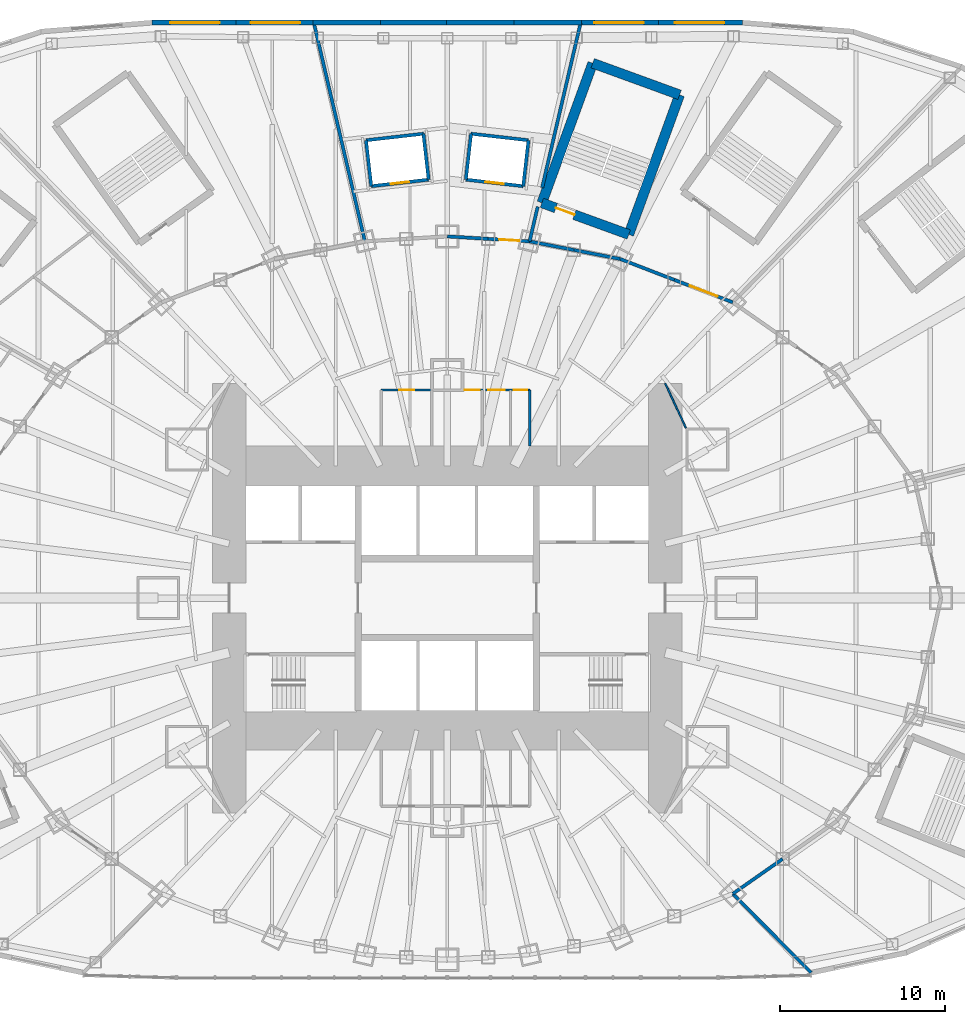
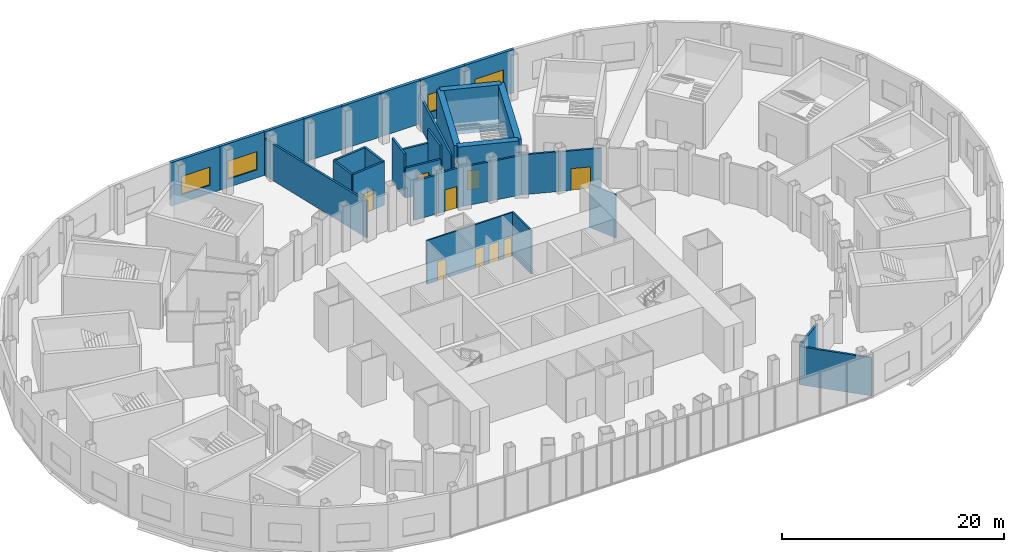
# One storey, part 16 of 73: 34 walls, 9 doors, 4 windows, 13 openings.
"""IFC4 building model written with IfcOpenShell, lengths in metres."""

from ifc_helpers import new_model, si_unit, direction, frame, frame_2d, origin, place, context, subcontext, project, spatial, rectangle, extrude, material, layer, layer_set, type_object, element, fill, save


model = new_model("IFC4")

# Units and contexts
model_context = context("Model", 3, precision=1e-05, world=origin(), true_north=direction((0.0, 1.0)))
body_context = subcontext(model_context, "Body", "Model", "MODEL_VIEW")
ifc_project = project(units=[si_unit("LENGTHUNIT", "METRE"), si_unit("AREAUNIT", "SQUARE_METRE"), si_unit("VOLUMEUNIT", "CUBIC_METRE"), si_unit("PLANEANGLEUNIT", "RADIAN"), si_unit("MASSUNIT", "GRAM", prefix="KILO")], contexts=[model_context])

# Site, building, storey
site_placement = place(None, origin())
site = spatial("IfcSite", under=ifc_project, at=site_placement, CompositionType="ELEMENT")
building_placement = place(site_placement, origin())
building = spatial("IfcBuilding", under=site, at=building_placement, Name="Lantaw Convention Tower", CompositionType="ELEMENT")
storey_placement = place(building_placement, frame((0.0, 0.0, 22.0)))
storey = spatial("IfcBuildingStorey", under=building, at=storey_placement, Name="L03", CompositionType="ELEMENT", Elevation=22.0)

# Walls
ifc_material_1 = material(Name="Concrete blockwork, fire rated", Category="masonry")
ifc_layer_1 = layer(ifc_material_1, 0.199951171875)
ifc_layer_set_1 = layer_set([ifc_layer_1], Name="Lift shaft wall 200 EI 120")
wall_type_1 = type_object("IfcWallType", Name="Lift shaft wall 200 EI 120", PredefinedType="SOLIDWALL", material=ifc_layer_set_1)
wall_1_placement = place(storey_placement, frame((4.602783203125, 24.939208984375, 0.0), z_axis=(0.0, 0.0, 1.0), x_axis=(0.113177712989, 0.993574760792, 0.0)))
element("IfcWall", 1, at=wall_1_placement, inside=storey, type_object=wall_type_1, Name="Lift shaft wall", PredefinedType="SOLIDWALL", context=body_context, shape_type="SweptSolid", body=[
    extrude(rectangle(XDim=2.800048828125, YDim=0.199951171875, at=frame_2d((1.39990234375, 0.0))), origin(), (0.0, 0.0, 1.0), 4.800048828125),
])
wall_2_placement = place(storey_placement, frame((4.919677734375, 27.72119140625, 0.0), z_axis=(0.0, 0.0, 1.0), x_axis=(-0.993571061716, 0.113210182053, 0.0)))
element("IfcWall", 2, at=wall_2_placement, inside=storey, type_object=wall_type_1, Name="Lift shaft wall", PredefinedType="SOLIDWALL", context=body_context, shape_type="SweptSolid", body=[
    extrude(rectangle(XDim=3.5, YDim=0.199951171875, at=frame_2d((1.75, 0.0))), origin(), (0.0, 0.0, 1.0), 3.300048828125),
])
wall_3_placement = place(storey_placement, frame((1.442138671875, 28.117431640625, 0.0), z_axis=(0.0, 0.0, 1.0), x_axis=(-0.113177712989, -0.993574760792, 0.0)))
element("IfcWall", 3, at=wall_3_placement, inside=storey, type_object=wall_type_1, Name="Lift shaft wall", PredefinedType="SOLIDWALL", context=body_context, shape_type="SweptSolid", body=[
    extrude(rectangle(XDim=2.800048828125, YDim=0.199951171875, at=frame_2d((1.39990234375, 0.0))), origin(), (0.0, 0.0, 1.0), 4.800048828125),
])

# Wall, opening, door
wall_4_placement = place(storey_placement, frame((1.125244140625, 25.33544921875, 0.0), z_axis=(0.0, 0.0, 1.0), x_axis=(0.993571061716, -0.113210182053, 0.0)))
wall_4 = element("IfcWall", 4, at=wall_4_placement, inside=storey, type_object=wall_type_1, Name="Lift shaft wall", PredefinedType="SOLIDWALL", context=body_context, shape_type="SweptSolid", body=[
    extrude(rectangle(XDim=3.5, YDim=0.199951171875, at=frame_2d((1.75, 0.0))), origin(), (0.0, 0.0, 1.0), 3.300048828125),
])
opening_1_placement = place(wall_4_placement, frame((1.199951171875, 0.0, 0.0)))
opening_1 = element("IfcOpeningElement", 5, at=opening_1_placement, cuts=wall_4, Name="Opening LDPL1", PredefinedType="OPENING", context=body_context, shape_type="SweptSolid", body=[
    extrude(rectangle(XDim=1.10009765625, YDim=2.199951171875, at=frame_2d((0.550048828125, 1.10009765625))), frame((0.0, 0.10986328125, 0.0), z_axis=(0.0, -1.0, 0.0), x_axis=(1.0, 0.0, 0.0)), (0.0, 0.0, 1.0), 0.219970703125),
])
ifc_material_2 = material(Name="Stainless steel", Category="steel")
door_type_1 = type_object("IfcDoorType", Name="Lift landing door 1100", OperationType="DOUBLE_DOOR_SLIDING", PredefinedType="DOOR", material=ifc_material_2)
door_1_placement = place(opening_1_placement, origin())
door_1 = element("IfcDoor", 6, at=door_1_placement, inside=storey, type_object=door_type_1, Name="Lift landing door PL1", OperationType="DOUBLE_DOOR_SLIDING", OverallHeight=2.199951171875, OverallWidth=1.10009765625, PredefinedType="DOOR", context=body_context, shape_type="SweptSolid", body=[
    extrude(rectangle(XDim=1.10009765625, YDim=2.199951171875, at=frame_2d((0.550048828125, 1.10009765625))), frame((0.0, 0.02490234375, 0.0), z_axis=(0.0, -1.0, 0.0), x_axis=(1.0, 0.0, 0.0)), (0.0, 0.0, 1.0), 0.050048828125),
])
fill(opening_1, door_1)

# Walls
wall_5_placement = place(storey_placement, frame((-1.125244140625, 25.33544921875, 0.0), z_axis=(0.0, 0.0, 1.0), x_axis=(-0.113177712989, 0.993574760792, 0.0)))
element("IfcWall", 7, at=wall_5_placement, inside=storey, type_object=wall_type_1, Name="Lift shaft wall", PredefinedType="SOLIDWALL", context=body_context, shape_type="SweptSolid", body=[
    extrude(rectangle(XDim=2.800048828125, YDim=0.199951171875, at=frame_2d((1.39990234375, 0.0))), origin(), (0.0, 0.0, 1.0), 4.800048828125),
])
wall_6_placement = place(storey_placement, frame((-1.442138671875, 28.117431640625, 0.0), z_axis=(0.0, 0.0, 1.0), x_axis=(-0.993571061716, -0.113210182053, 0.0)))
element("IfcWall", 8, at=wall_6_placement, inside=storey, type_object=wall_type_1, Name="Lift shaft wall", PredefinedType="SOLIDWALL", context=body_context, shape_type="SweptSolid", body=[
    extrude(rectangle(XDim=3.5, YDim=0.199951171875, at=frame_2d((1.75, 0.0))), origin(), (0.0, 0.0, 1.0), 4.800048828125),
])
wall_7_placement = place(storey_placement, frame((-4.919677734375, 27.72119140625, 0.0), z_axis=(0.0, 0.0, 1.0), x_axis=(0.113177712989, -0.993574760792, 0.0)))
element("IfcWall", 9, at=wall_7_placement, inside=storey, type_object=wall_type_1, Name="Lift shaft wall", PredefinedType="SOLIDWALL", context=body_context, shape_type="SweptSolid", body=[
    extrude(rectangle(XDim=2.800048828125, YDim=0.199951171875, at=frame_2d((1.39990234375, 0.0))), origin(), (0.0, 0.0, 1.0), 4.800048828125),
])

# Wall, opening, door
wall_8_placement = place(storey_placement, frame((-4.602783203125, 24.939208984375, 0.0), z_axis=(0.0, 0.0, 1.0), x_axis=(0.993571061716, 0.113210182053, 0.0)))
wall_8 = element("IfcWall", 10, at=wall_8_placement, inside=storey, type_object=wall_type_1, Name="Lift shaft wall", PredefinedType="SOLIDWALL", context=body_context, shape_type="SweptSolid", body=[
    extrude(rectangle(XDim=3.5, YDim=0.199951171875, at=frame_2d((1.75, 0.0))), origin(), (0.0, 0.0, 1.0), 4.800048828125),
])
opening_2_placement = place(wall_8_placement, frame((1.199951171875, 0.0, 0.0)))
opening_2 = element("IfcOpeningElement", 11, at=opening_2_placement, cuts=wall_8, Name="Opening LDPL2", PredefinedType="OPENING", context=body_context, shape_type="SweptSolid", body=[
    extrude(rectangle(XDim=1.10009765625, YDim=2.199951171875, at=frame_2d((0.550048828125, 1.10009765625))), frame((0.0, 0.10986328125, 0.0), z_axis=(0.0, -1.0, 0.0), x_axis=(1.0, 0.0, 0.0)), (0.0, 0.0, 1.0), 0.219970703125),
])
door_2_placement = place(opening_2_placement, origin())
door_2 = element("IfcDoor", 12, at=door_2_placement, inside=storey, type_object=door_type_1, Name="Lift landing door PL2", OperationType="DOUBLE_DOOR_SLIDING", OverallHeight=2.199951171875, OverallWidth=1.10009765625, PredefinedType="DOOR", context=body_context, shape_type="SweptSolid", body=[
    extrude(rectangle(XDim=1.10009765625, YDim=2.199951171875, at=frame_2d((0.550048828125, 1.10009765625))), frame((0.0, 0.02490234375, 0.0), z_axis=(0.0, -1.0, 0.0), x_axis=(1.0, 0.0, 0.0)), (0.0, 0.0, 1.0), 0.050048828125),
])
fill(opening_2, door_2)

# Wall
ifc_material_3 = material(Name="Gypsum board on steel studs, acoustic", Category="steel")
ifc_layer_2 = layer(ifc_material_3, 0.10009765625)
ifc_layer_set_2 = layer_set([ifc_layer_2], Name="Office partition 100")
wall_type_2 = type_object("IfcWallType", Name="Office partition 100", PredefinedType="PARTITIONING", material=ifc_layer_set_2)
wall_9_placement = place(storey_placement, frame((13.199951171875, 13.0, 0.0), z_axis=(0.0, 0.0, 1.0), x_axis=(0.420129824888, -0.907464010437, 0.0)))
element("IfcWall", 13, at=wall_9_placement, inside=storey, type_object=wall_type_2, Name="Office partition 100", PredefinedType="PARTITIONING", context=body_context, shape_type="SweptSolid", body=[
    extrude(rectangle(XDim=2.975341796875, YDim=0.10009765625, at=frame_2d((1.48779296875, 0.0))), origin(), (0.0, 0.0, 1.0), 4.800048828125),
])

# Wall, opening, window
ifc_material_4 = material(Name="Precast concrete panel, pale aluminium rainscreen", Category="concrete")
ifc_layer_3 = layer(ifc_material_4, 0.300048828125)
ifc_layer_set_3 = layer_set([ifc_layer_3], Name="Podium external wall 300")
wall_type_3 = type_object("IfcWallType", Name="Podium external wall 300", PredefinedType="SOLIDWALL", material=ifc_layer_set_3)
wall_10_placement = place(storey_placement, frame((17.873291015625, 34.85009765625, 0.0), z_axis=(0.0, 0.0, 1.0), x_axis=(-1.0, 0.0, 0.0)))
wall_10 = element("IfcWall", 14, at=wall_10_placement, inside=storey, type_object=wall_type_3, Name="Podium facade wall", PredefinedType="SOLIDWALL", context=body_context, shape_type="SweptSolid", body=[
    extrude(rectangle(XDim=5.17431640625, YDim=0.300048828125, at=frame_2d((2.587158203125, 0.0))), origin(), (0.0, 0.0, 1.0), 4.800048828125),
])
opening_3_placement = place(wall_10_placement, frame((1.087158203125, 0.0, 0.89990234375)))
opening_3 = element("IfcOpeningElement", 15, at=opening_3_placement, cuts=wall_10, Name="Opening W3", PredefinedType="OPENING", context=body_context, shape_type="SweptSolid", body=[
    extrude(rectangle(XDim=3.0, YDim=2.0, at=frame_2d((1.5, 1.0))), frame((0.0, 0.159912109375, 0.0), z_axis=(0.0, -1.0, 0.0), x_axis=(1.0, 0.0, 0.0)), (0.0, 0.0, 1.0), 0.320068359375),
])
ifc_material_5 = material(Name="Aluminium frame, clear insulating glass", Category="aluminium")
window_type = type_object("IfcWindowType", Name="Podium window 3000x2000", PartitioningType="DOUBLE_PANEL_VERTICAL", PredefinedType="WINDOW", material=ifc_material_5)
window_1_placement = place(opening_3_placement, origin())
window_1 = element("IfcWindow", 16, at=window_1_placement, inside=storey, type_object=window_type, Name="Podium window", OverallHeight=2.0, OverallWidth=3.0, PartitioningType="SINGLE_PANEL", PredefinedType="WINDOW", context=body_context, shape_type="SweptSolid", body=[
    extrude(rectangle(XDim=3.0, YDim=2.0, at=frame_2d((1.5, 1.0))), frame((0.0, 0.030029296875, 0.0), z_axis=(0.0, -1.0, 0.0), x_axis=(1.0, 0.0, 0.0)), (0.0, 0.0, 1.0), 0.06005859375),
])
fill(opening_3, window_1)

wall_11_placement = place(storey_placement, frame((12.779052734375, 34.85009765625, 0.0), z_axis=(0.0, 0.0, 1.0), x_axis=(-1.0, 0.0, 0.0)))
wall_11 = element("IfcWall", 17, at=wall_11_placement, inside=storey, type_object=wall_type_3, Name="Podium facade wall", PredefinedType="SOLIDWALL", context=body_context, shape_type="SweptSolid", body=[
    extrude(rectangle(XDim=4.73876953125, YDim=0.300048828125, at=frame_2d((2.369384765625, 0.0))), origin(), (0.0, 0.0, 1.0), 4.800048828125),
])
opening_4_placement = place(wall_11_placement, frame((0.869384765625, 0.0, 0.89990234375)))
opening_4 = element("IfcOpeningElement", 18, at=opening_4_placement, cuts=wall_11, Name="Opening W3", PredefinedType="OPENING", context=body_context, shape_type="SweptSolid", body=[
    extrude(rectangle(XDim=3.0, YDim=2.0, at=frame_2d((1.5, 1.0))), frame((0.0, 0.159912109375, 0.0), z_axis=(0.0, -1.0, 0.0), x_axis=(1.0, 0.0, 0.0)), (0.0, 0.0, 1.0), 0.320068359375),
])
window_2_placement = place(opening_4_placement, origin())
window_2 = element("IfcWindow", 19, at=window_2_placement, inside=storey, type_object=window_type, Name="Podium window", OverallHeight=2.0, OverallWidth=3.0, PartitioningType="SINGLE_PANEL", PredefinedType="WINDOW", context=body_context, shape_type="SweptSolid", body=[
    extrude(rectangle(XDim=3.0, YDim=2.0, at=frame_2d((1.5, 1.0))), frame((0.0, 0.030029296875, 0.0), z_axis=(0.0, -1.0, 0.0), x_axis=(1.0, 0.0, 0.0)), (0.0, 0.0, 1.0), 0.06005859375),
])
fill(opening_4, window_2)

# Walls
wall_12_placement = place(storey_placement, frame((8.120361328125, 34.85009765625, 0.0), z_axis=(0.0, 0.0, 1.0), x_axis=(-1.0, 0.0, 0.0)))
element("IfcWall", 20, at=wall_12_placement, inside=storey, type_object=wall_type_3, Name="Podium facade wall", PredefinedType="SOLIDWALL", context=body_context, shape_type="SweptSolid", body=[
    extrude(rectangle(XDim=4.172607421875, YDim=0.300048828125, at=frame_2d((2.08642578125, 0.0))), origin(), (0.0, 0.0, 1.0), 4.800048828125),
])
for number, where, z_axis, x_axis, name in (
    (21, (4.02783203125, 34.85009765625, 0.0), (0.0, 0.0, 1.0), (-1.0, 0.0, 0.0), "Podium facade wall"),
    (22, (0.0400390625, 34.85009765625, 0.0), (0.0, 0.0, 1.0), (-1.0, 0.0, 0.0), "Podium facade wall"),
):
    element("IfcWall", number, at=place(storey_placement, frame(where, z_axis=z_axis, x_axis=x_axis)), inside=storey, type_object=wall_type_3, Name=name, PredefinedType="SOLIDWALL", context=body_context, shape_type="SweptSolid", body=[
        extrude(rectangle(XDim=4.06787109375, YDim=0.300048828125, at=frame_2d((2.033935546875, 0.0))), origin(), (0.0, 0.0, 1.0), 4.800048828125),
    ])
wall_13_placement = place(storey_placement, frame((-3.94775390625, 34.85009765625, 0.0), z_axis=(0.0, 0.0, 1.0), x_axis=(-1.0, 0.0, 0.0)))
element("IfcWall", 23, at=wall_13_placement, inside=storey, type_object=wall_type_3, Name="Podium facade wall", PredefinedType="SOLIDWALL", context=body_context, shape_type="SweptSolid", body=[
    extrude(rectangle(XDim=4.172607421875, YDim=0.300048828125, at=frame_2d((2.08642578125, 0.0))), origin(), (0.0, 0.0, 1.0), 4.800048828125),
])

# Wall, opening, window
wall_14_placement = place(storey_placement, frame((-8.040283203125, 34.85009765625, 0.0), z_axis=(0.0, 0.0, 1.0), x_axis=(-1.0, 0.0, 0.0)))
wall_14 = element("IfcWall", 24, at=wall_14_placement, inside=storey, type_object=wall_type_3, Name="Podium facade wall", PredefinedType="SOLIDWALL", context=body_context, shape_type="SweptSolid", body=[
    extrude(rectangle(XDim=4.73876953125, YDim=0.300048828125, at=frame_2d((2.369384765625, 0.0))), origin(), (0.0, 0.0, 1.0), 4.800048828125),
])
opening_5_placement = place(wall_14_placement, frame((0.869384765625, 0.0, 0.89990234375)))
opening_5 = element("IfcOpeningElement", 25, at=opening_5_placement, cuts=wall_14, Name="Opening W3", PredefinedType="OPENING", context=body_context, shape_type="SweptSolid", body=[
    extrude(rectangle(XDim=3.0, YDim=2.0, at=frame_2d((1.5, 1.0))), frame((0.0, 0.159912109375, 0.0), z_axis=(0.0, -1.0, 0.0), x_axis=(1.0, 0.0, 0.0)), (0.0, 0.0, 1.0), 0.320068359375),
])
window_3_placement = place(opening_5_placement, origin())
window_3 = element("IfcWindow", 26, at=window_3_placement, inside=storey, type_object=window_type, Name="Podium window", OverallHeight=2.0, OverallWidth=3.0, PartitioningType="SINGLE_PANEL", PredefinedType="WINDOW", context=body_context, shape_type="SweptSolid", body=[
    extrude(rectangle(XDim=3.0, YDim=2.0, at=frame_2d((1.5, 1.0))), frame((0.0, 0.030029296875, 0.0), z_axis=(0.0, -1.0, 0.0), x_axis=(1.0, 0.0, 0.0)), (0.0, 0.0, 1.0), 0.06005859375),
])
fill(opening_5, window_3)

wall_15_placement = place(storey_placement, frame((-12.698974609375, 34.85009765625, 0.0), z_axis=(0.0, 0.0, 1.0), x_axis=(-1.0, 0.0, 0.0)))
wall_15 = element("IfcWall", 27, at=wall_15_placement, inside=storey, type_object=wall_type_3, Name="Podium facade wall", PredefinedType="SOLIDWALL", context=body_context, shape_type="SweptSolid", body=[
    extrude(rectangle(XDim=5.17431640625, YDim=0.300048828125, at=frame_2d((2.587158203125, 0.0))), origin(), (0.0, 0.0, 1.0), 4.800048828125),
])
opening_6_placement = place(wall_15_placement, frame((1.087158203125, 0.0, 0.89990234375)))
opening_6 = element("IfcOpeningElement", 28, at=opening_6_placement, cuts=wall_15, Name="Opening W3", PredefinedType="OPENING", context=body_context, shape_type="SweptSolid", body=[
    extrude(rectangle(XDim=3.0, YDim=2.0, at=frame_2d((1.5, 1.0))), frame((0.0, 0.159912109375, 0.0), z_axis=(0.0, -1.0, 0.0), x_axis=(1.0, 0.0, 0.0)), (0.0, 0.0, 1.0), 0.320068359375),
])
window_4_placement = place(opening_6_placement, origin())
window_4 = element("IfcWindow", 29, at=window_4_placement, inside=storey, type_object=window_type, Name="Podium window", OverallHeight=2.0, OverallWidth=3.0, PartitioningType="SINGLE_PANEL", PredefinedType="WINDOW", context=body_context, shape_type="SweptSolid", body=[
    extrude(rectangle(XDim=3.0, YDim=2.0, at=frame_2d((1.5, 1.0))), frame((0.0, 0.030029296875, 0.0), z_axis=(0.0, -1.0, 0.0), x_axis=(1.0, 0.0, 0.0)), (0.0, 0.0, 1.0), 0.06005859375),
])
fill(opening_6, window_4)

# Wall, opening, door
ifc_layer_4 = layer(ifc_material_1, 0.199951171875)
ifc_layer_set_4 = layer_set([ifc_layer_4], Name="Podium lobby wall 200 EI 120")
wall_type_4 = type_object("IfcWallType", Name="Podium lobby wall 200 EI 120", PredefinedType="SOLIDWALL", material=ifc_layer_set_4)
wall_16_placement = place(storey_placement, frame((4.986328125, 21.59814453125, 0.0), z_axis=(0.0, 0.0, 1.0), x_axis=(-0.998172405641, 0.060430527186, 0.0)))
wall_16 = element("IfcWall", 30, at=wall_16_placement, inside=storey, type_object=wall_type_4, Name="Podium lobby wall 200", PredefinedType="SOLIDWALL", context=body_context, shape_type="SweptSolid", body=[
    extrude(rectangle(XDim=2.512939453125, YDim=0.199951171875, at=frame_2d((1.25634765625, 0.0))), origin(), (0.0, 0.0, 1.0), 4.396240234375),
])
opening_7_placement = place(wall_16_placement, frame((0.639892578125, 0.0, 0.0)))
opening_7 = element("IfcOpeningElement", 31, at=opening_7_placement, cuts=wall_16, Name="Opening L03.15", PredefinedType="OPENING", context=body_context, shape_type="SweptSolid", body=[
    extrude(rectangle(XDim=1.199951171875, YDim=2.39990234375, at=frame_2d((0.60009765625, 1.199951171875))), frame((0.0, 0.10986328125, 0.0), z_axis=(0.0, -1.0, 0.0), x_axis=(1.0, 0.0, 0.0)), (0.0, 0.0, 1.0), 0.219970703125),
])
ifc_material_6 = material(Name="Steel, fire rated", Category="steel")
door_type_2 = type_object("IfcDoorType", Name="Lobby door 1200 FD90", OperationType="SINGLE_SWING_RIGHT", PredefinedType="DOOR", material=ifc_material_6)
door_3_placement = place(opening_7_placement, origin())
door_3 = element("IfcDoor", 32, at=door_3_placement, inside=storey, type_object=door_type_2, Name="Podium lift lobby door", OperationType="SINGLE_SWING_RIGHT", OverallHeight=2.39990234375, OverallWidth=1.199951171875, PredefinedType="DOOR", context=body_context, shape_type="SweptSolid", body=[
    extrude(rectangle(XDim=1.199951171875, YDim=2.39990234375, at=frame_2d((0.60009765625, 1.199951171875))), frame((0.0, 0.02490234375, 0.0), z_axis=(0.0, -1.0, 0.0), x_axis=(1.0, 0.0, 0.0)), (0.0, 0.0, 1.0), 0.050048828125),
])
fill(opening_7, door_3)

ifc_material_7 = material(Name="Concrete blockwork", Category="masonry")
ifc_layer_5 = layer(ifc_material_7, 0.199951171875)
ifc_layer_set_5 = layer_set([ifc_layer_5], Name="Podium partition 200")
wall_type_5 = type_object("IfcWallType", Name="Podium partition 200", PredefinedType="SOLIDWALL", material=ifc_layer_set_5)
wall_17_placement = place(storey_placement, frame((17.290771484375, 17.9052734375, 0.0), z_axis=(0.0, 0.0, 1.0), x_axis=(-0.933224646415, 0.359293416754, 0.0)))
wall_17 = element("IfcWall", 33, at=wall_17_placement, inside=storey, type_object=wall_type_5, Name="Podium partition 200", PredefinedType="SOLIDWALL", context=body_context, shape_type="SweptSolid", body=[
    extrude(rectangle(XDim=3.799072265625, YDim=0.199951171875, at=frame_2d((1.8994140625, 0.0))), origin(), (0.0, 0.0, 1.0), 4.35546875),
])
opening_8_placement = place(wall_17_placement, frame((0.99951171875, 0.0, 0.0)))
opening_8 = element("IfcOpeningElement", 34, at=opening_8_placement, cuts=wall_17, Name="Opening L03.14", PredefinedType="OPENING", context=body_context, shape_type="SweptSolid", body=[
    extrude(rectangle(XDim=1.800048828125, YDim=2.39990234375, at=frame_2d((0.89990234375, 1.199951171875))), frame((0.0, 0.10986328125, 0.0), z_axis=(0.0, -1.0, 0.0), x_axis=(1.0, 0.0, 0.0)), (0.0, 0.0, 1.0), 0.219970703125),
])
ifc_material_8 = material(Name="Timber", Category="wood")
door_type_3 = type_object("IfcDoorType", Name="Hall double door 1800", OperationType="DOUBLE_DOOR_DOUBLE_SWING", PredefinedType="DOOR", material=ifc_material_8)
door_4_placement = place(opening_8_placement, origin())
door_4 = element("IfcDoor", 35, at=door_4_placement, inside=storey, type_object=door_type_3, Name="Meeting room door", OperationType="DOUBLE_DOOR_DOUBLE_SWING", OverallHeight=2.39990234375, OverallWidth=1.800048828125, PredefinedType="DOOR", context=body_context, shape_type="SweptSolid", body=[
    extrude(rectangle(XDim=1.800048828125, YDim=2.39990234375, at=frame_2d((0.89990234375, 1.199951171875))), frame((0.0, 0.02490234375, 0.0), z_axis=(0.0, -1.0, 0.0), x_axis=(1.0, 0.0, 0.0)), (0.0, 0.0, 1.0), 0.050048828125),
])
fill(opening_8, door_4)

# Walls
wall_18_placement = place(storey_placement, frame((13.745361328125, 19.270263671875, 0.0), z_axis=(0.0, 0.0, 1.0), x_axis=(-0.933241815012, 0.359248820058, 0.0)))
element("IfcWall", 36, at=wall_18_placement, inside=storey, type_object=wall_type_5, Name="Podium partition 200", PredefinedType="SOLIDWALL", context=body_context, shape_type="SweptSolid", body=[
    extrude(rectangle(XDim=3.517578125, YDim=0.199951171875, at=frame_2d((1.7587890625, 0.0))), origin(), (0.0, 0.0, 1.0), 4.396240234375),
])
wall_19_placement = place(storey_placement, frame((10.462646484375, 20.533935546875, 0.0), z_axis=(0.0, 0.0, 1.0), x_axis=(-0.98163593748, 0.190763954266, 0.0)))
element("IfcWall", 37, at=wall_19_placement, inside=storey, type_object=wall_type_5, Name="Podium partition 200", PredefinedType="SOLIDWALL", context=body_context, shape_type="SweptSolid", body=[
    extrude(rectangle(XDim=2.84375, YDim=0.199951171875, at=frame_2d((1.421875, 0.0))), origin(), (0.0, 0.0, 1.0), 4.337646484375),
])
wall_20_placement = place(storey_placement, frame((7.671142578125, 21.076416015625, 0.0), z_axis=(0.0, 0.0, 1.0), x_axis=(-0.981637218105, 0.190757364289, 0.0)))
element("IfcWall", 38, at=wall_20_placement, inside=storey, type_object=wall_type_5, Name="Podium partition 200", PredefinedType="SOLIDWALL", context=body_context, shape_type="SweptSolid", body=[
    extrude(rectangle(XDim=2.735107421875, YDim=0.199951171875, at=frame_2d((1.36767578125, 0.0))), origin(), (0.0, 0.0, 1.0), 4.337646484375),
])
wall_21_placement = place(storey_placement, frame((2.47802734375, 21.75, 0.0), z_axis=(0.0, 0.0, 1.0), x_axis=(-0.998175328335, 0.060382231685, 0.0)))
element("IfcWall", 39, at=wall_21_placement, inside=storey, type_object=wall_type_5, Name="Podium partition 200", PredefinedType="SOLIDWALL", context=body_context, shape_type="SweptSolid", body=[
    extrude(rectangle(XDim=2.482666015625, YDim=0.199951171875, at=frame_2d((1.2412109375, 0.0))), origin(), (0.0, 0.0, 1.0), 4.30224609375),
])
wall_22_placement = place(storey_placement, frame((17.290771484375, -17.9052734375, 0.0), z_axis=(0.0, 0.0, 1.0), x_axis=(0.819431174801, 0.573177590075, 0.0)))
element("IfcWall", 40, at=wall_22_placement, inside=storey, type_object=wall_type_5, Name="Podium partition 200", PredefinedType="SOLIDWALL", context=body_context, shape_type="SweptSolid", body=[
    extrude(rectangle(XDim=3.68310546875, YDim=0.199951171875, at=frame_2d((1.841552734375, 0.0))), origin(), (0.0, 0.0, 1.0), 4.396240234375),
])
wall_23_placement = place(storey_placement, frame((4.986328125, 21.59814453125, 0.0), z_axis=(0.0, 0.0, 1.0), x_axis=(0.227351065365, 0.973812863479, 0.0)))
element("IfcWall", 41, at=wall_23_placement, inside=storey, type_object=wall_type_5, Name="Podium partition 200", PredefinedType="SOLIDWALL", context=body_context, shape_type="SweptSolid", body=[
    extrude(rectangle(XDim=2.16064453125, YDim=0.199951171875, at=frame_2d((1.080322265625, 0.0))), origin(), (0.0, 0.0, 1.0), 3.300048828125),
])
wall_24_placement = place(storey_placement, frame((5.745361328125, 24.848876953125, 0.0), z_axis=(0.0, 0.0, 1.0), x_axis=(0.227353607936, 0.973812269875, 0.0)))
element("IfcWall", 42, at=wall_24_placement, inside=storey, type_object=wall_type_5, Name="Podium partition 200", PredefinedType="SOLIDWALL", context=body_context, shape_type="SweptSolid", body=[
    extrude(rectangle(XDim=10.270263671875, YDim=0.199951171875, at=frame_2d((5.13525390625, 0.0))), origin(), (0.0, 0.0, 1.0), 3.300048828125),
])
wall_25_placement = place(storey_placement, frame((-4.986328125, 21.59814453125, 0.0), z_axis=(0.0, 0.0, 1.0), x_axis=(-0.227360055616, 0.973810764528, 0.0)))
element("IfcWall", 43, at=wall_25_placement, inside=storey, type_object=wall_type_5, Name="Podium partition 200", PredefinedType="SOLIDWALL", context=body_context, shape_type="SweptSolid", body=[
    extrude(rectangle(XDim=13.6083984375, YDim=0.199951171875, at=frame_2d((6.80419921875, 0.0))), origin(), (0.0, 0.0, 1.0), 4.02783203125),
])
wall_26_placement = place(storey_placement, frame((17.290771484375, -17.9052734375, 0.0), z_axis=(0.0, 0.0, 1.0), x_axis=(0.704348079756, -0.709854761585, 0.0)))
element("IfcWall", 44, at=wall_26_placement, inside=storey, type_object=wall_type_5, Name="Podium partition 200", PredefinedType="SOLIDWALL", context=body_context, shape_type="SweptSolid", body=[
    extrude(rectangle(XDim=6.739013671875, YDim=0.199951171875, at=frame_2d((3.36962890625, 0.0))), origin(), (0.0, 0.0, 1.0), 4.197998046875),
])
ifc_material_9 = material(Name="Concrete C40/50, stair core", Category="concrete")
ifc_layer_6 = layer(ifc_material_9, 0.60009765625)
ifc_layer_set_6 = layer_set([ifc_layer_6], Name="Stair enclosure wall 600 EI 120")
wall_type_6 = type_object("IfcWallType", Name="Stair enclosure wall 600 EI 120", PredefinedType="SHEAR", material=ifc_layer_set_6)
wall_27_placement = place(storey_placement, frame((10.9921875, 22.01416015625, 0.0), z_axis=(0.0, 0.0, 1.0), x_axis=(0.342013127703, 0.939695174234, 0.0)))
element("IfcWall", 45, at=wall_27_placement, inside=storey, type_object=wall_type_6, Name="Stair enclosure wall", PredefinedType="SHEAR", context=body_context, shape_type="SweptSolid", body=[
    extrude(rectangle(XDim=9.0, YDim=0.60009765625, at=frame_2d((4.5, 0.0))), origin(), (0.0, 0.0, 1.0), 5.0),
])
wall_28_placement = place(storey_placement, frame((14.0703125, 30.471435546875, 0.0), z_axis=(0.0, 0.0, 1.0), x_axis=(-0.939692822968, 0.342019587834, 0.0)))
element("IfcWall", 46, at=wall_28_placement, inside=storey, type_object=wall_type_6, Name="Stair enclosure wall", PredefinedType="SHEAR", context=body_context, shape_type="SweptSolid", body=[
    extrude(rectangle(XDim=5.599853515625, YDim=0.60009765625, at=frame_2d((2.7998046875, 0.0))), origin(), (0.0, 0.0, 1.0), 5.0),
])
wall_29_placement = place(storey_placement, frame((8.80810546875, 32.38671875, 0.0), z_axis=(0.0, 0.0, 1.0), x_axis=(-0.3420218461, -0.939692001025, 0.0)))
element("IfcWall", 47, at=wall_29_placement, inside=storey, type_object=wall_type_6, Name="Stair enclosure wall", PredefinedType="SHEAR", context=body_context, shape_type="SweptSolid", body=[
    extrude(rectangle(XDim=8.999755859375, YDim=0.60009765625, at=frame_2d((4.5, 0.0))), origin(), (0.0, 0.0, 1.0), 5.0),
])

# Wall, opening, door
wall_30_placement = place(storey_placement, frame((5.72998046875, 23.9296875, 0.0), z_axis=(0.0, 0.0, 1.0), x_axis=(0.939678810556, -0.342058084236, 0.0)))
wall_30 = element("IfcWall", 48, at=wall_30_placement, inside=storey, type_object=wall_type_6, Name="Stair enclosure wall", PredefinedType="SHEAR", context=body_context, shape_type="SweptSolid", body=[
    extrude(rectangle(XDim=5.60009765625, YDim=0.60009765625, at=frame_2d((2.800048828125, 0.0))), origin(), (0.0, 0.0, 1.0), 5.0),
])
opening_9_placement = place(wall_30_placement, frame((0.89990234375, 0.0, 0.0)))
opening_9 = element("IfcOpeningElement", 49, at=opening_9_placement, cuts=wall_30, Name="Opening L03.P5", PredefinedType="OPENING", context=body_context, shape_type="SweptSolid", body=[
    extrude(rectangle(XDim=1.199951171875, YDim=2.10009765625, at=frame_2d((0.60009765625, 1.050048828125))), frame((0.0, 0.31005859375, 0.0), z_axis=(0.0, -1.0, 0.0), x_axis=(1.0, 0.0, 0.0)), (0.0, 0.0, 1.0), 0.6201171875),
])
door_type_4 = type_object("IfcDoorType", Name="Stair door FD90", OperationType="SINGLE_SWING_RIGHT", PredefinedType="DOOR", material=ifc_material_6)
door_5_placement = place(opening_9_placement, origin())
door_5 = element("IfcDoor", 50, at=door_5_placement, inside=storey, type_object=door_type_4, Name="Exit stair door", OperationType="SINGLE_SWING_RIGHT", OverallHeight=2.10009765625, OverallWidth=1.199951171875, PredefinedType="DOOR", context=body_context, shape_type="SweptSolid", body=[
    extrude(rectangle(XDim=1.199951171875, YDim=2.10009765625, at=frame_2d((0.60009765625, 1.050048828125))), frame((0.0, 0.02490234375, 0.0), z_axis=(0.0, -1.0, 0.0), x_axis=(1.0, 0.0, 0.0)), (0.0, 0.0, 1.0), 0.050048828125),
])
fill(opening_9, door_5)

# Wall, openings, doors
ifc_layer_7 = layer(ifc_material_7, 0.14990234375)
ifc_layer_set_7 = layer_set([ifc_layer_7], Name="WC wall 150")
wall_type_7 = type_object("IfcWallType", Name="WC wall 150", PredefinedType="SOLIDWALL", material=ifc_layer_set_7)
wall_31_placement = place(storey_placement, frame((-4.0, 12.60009765625, 0.0), z_axis=(0.0, 0.0, 1.0), x_axis=(1.0, 0.0, 0.0)))
wall_31 = element("IfcWall", 51, at=wall_31_placement, inside=storey, type_object=wall_type_7, Name="WC wall 150", PredefinedType="SOLIDWALL", context=body_context, shape_type="SweptSolid", body=[
    extrude(rectangle(XDim=9.0, YDim=0.14990234375, at=frame_2d((4.5, 0.0))), origin(), (0.0, 0.0, 1.0), 4.800048828125),
])
opening_10_placement = place(wall_31_placement, frame((1.10009765625, 0.0, 0.0)))
opening_10 = element("IfcOpeningElement", 52, at=opening_10_placement, cuts=wall_31, Name="Opening L03.23", PredefinedType="OPENING", context=body_context, shape_type="SweptSolid", body=[
    extrude(rectangle(XDim=0.89990234375, YDim=2.10009765625, at=frame_2d((0.449951171875, 1.050048828125))), frame((0.0, 0.0849609375, 0.0), z_axis=(0.0, -1.0, 0.0), x_axis=(1.0, 0.0, 0.0)), (0.0, 0.0, 1.0), 0.169921875),
])
opening_11_placement = place(wall_31_placement, frame((5.06005859375, 0.0, 0.0)))
opening_11 = element("IfcOpeningElement", 53, at=opening_11_placement, cuts=wall_31, Name="Opening L03.24", PredefinedType="OPENING", context=body_context, shape_type="SweptSolid", body=[
    extrude(rectangle(XDim=0.89990234375, YDim=2.10009765625, at=frame_2d((0.449951171875, 1.050048828125))), frame((0.0, 0.0849609375, 0.0), z_axis=(0.0, -1.0, 0.0), x_axis=(1.0, 0.0, 0.0)), (0.0, 0.0, 1.0), 0.169921875),
])
opening_12_placement = place(wall_31_placement, frame((6.469970703125, 0.0, 0.0)))
opening_12 = element("IfcOpeningElement", 54, at=opening_12_placement, cuts=wall_31, Name="Opening L03.25", PredefinedType="OPENING", context=body_context, shape_type="SweptSolid", body=[
    extrude(rectangle(XDim=1.0, YDim=2.10009765625, at=frame_2d((0.5, 1.050048828125))), frame((0.0, 0.0849609375, 0.0), z_axis=(0.0, -1.0, 0.0), x_axis=(1.0, 0.0, 0.0)), (0.0, 0.0, 1.0), 0.169921875),
])
opening_13_placement = place(wall_31_placement, frame((8.030029296875, 0.0, 0.0)))
opening_13 = element("IfcOpeningElement", 55, at=opening_13_placement, cuts=wall_31, Name="Opening L03.26", PredefinedType="OPENING", context=body_context, shape_type="SweptSolid", body=[
    extrude(rectangle(XDim=0.800048828125, YDim=2.10009765625, at=frame_2d((0.39990234375, 1.050048828125))), frame((0.0, 0.0849609375, 0.0), z_axis=(0.0, -1.0, 0.0), x_axis=(1.0, 0.0, 0.0)), (0.0, 0.0, 1.0), 0.169921875),
])
door_type_5 = type_object("IfcDoorType", Name="Accessible WC door 1000", OperationType="SINGLE_SWING_LEFT", PredefinedType="DOOR", material=ifc_material_8)
door_6_placement = place(opening_12_placement, origin())
door_6 = element("IfcDoor", 56, at=door_6_placement, inside=storey, type_object=door_type_5, Name="Accessible WC door", OperationType="SINGLE_SWING_LEFT", OverallHeight=2.10009765625, OverallWidth=1.0, PredefinedType="DOOR", context=body_context, shape_type="SweptSolid", body=[
    extrude(rectangle(XDim=1.0, YDim=2.10009765625, at=frame_2d((0.5, 1.050048828125))), frame((0.0, 0.02490234375, 0.0), z_axis=(0.0, -1.0, 0.0), x_axis=(1.0, 0.0, 0.0)), (0.0, 0.0, 1.0), 0.050048828125),
])
fill(opening_12, door_6)
door_type_6 = type_object("IfcDoorType", Name="WC door 800", OperationType="SINGLE_SWING_LEFT", PredefinedType="DOOR", material=ifc_material_8)
door_7_placement = place(opening_13_placement, origin())
door_7 = element("IfcDoor", 57, at=door_7_placement, inside=storey, type_object=door_type_6, Name="Cleaner's store door", OperationType="SINGLE_SWING_LEFT", OverallHeight=2.10009765625, OverallWidth=0.800048828125, PredefinedType="DOOR", context=body_context, shape_type="SweptSolid", body=[
    extrude(rectangle(XDim=0.800048828125, YDim=2.10009765625, at=frame_2d((0.39990234375, 1.050048828125))), frame((0.0, 0.02490234375, 0.0), z_axis=(0.0, -1.0, 0.0), x_axis=(1.0, 0.0, 0.0)), (0.0, 0.0, 1.0), 0.050048828125),
])
fill(opening_13, door_7)
door_type_7 = type_object("IfcDoorType", Name="WC door 900", OperationType="SINGLE_SWING_LEFT", PredefinedType="DOOR", material=ifc_material_8)
door_8_placement = place(opening_10_placement, origin())
door_8 = element("IfcDoor", 58, at=door_8_placement, inside=storey, type_object=door_type_7, Name="Male WC door", OperationType="SINGLE_SWING_LEFT", OverallHeight=2.10009765625, OverallWidth=0.89990234375, PredefinedType="DOOR", context=body_context, shape_type="SweptSolid", body=[
    extrude(rectangle(XDim=0.89990234375, YDim=2.10009765625, at=frame_2d((0.449951171875, 1.050048828125))), frame((0.0, 0.02490234375, 0.0), z_axis=(0.0, -1.0, 0.0), x_axis=(1.0, 0.0, 0.0)), (0.0, 0.0, 1.0), 0.050048828125),
])
fill(opening_10, door_8)
door_9_placement = place(opening_11_placement, origin())
door_9 = element("IfcDoor", 59, at=door_9_placement, inside=storey, type_object=door_type_7, Name="Female WC door", OperationType="SINGLE_SWING_LEFT", OverallHeight=2.10009765625, OverallWidth=0.89990234375, PredefinedType="DOOR", context=body_context, shape_type="SweptSolid", body=[
    extrude(rectangle(XDim=0.89990234375, YDim=2.10009765625, at=frame_2d((0.449951171875, 1.050048828125))), frame((0.0, 0.02490234375, 0.0), z_axis=(0.0, -1.0, 0.0), x_axis=(1.0, 0.0, 0.0)), (0.0, 0.0, 1.0), 0.050048828125),
])
fill(opening_11, door_9)

# Wall
wall_32_placement = place(storey_placement, frame((5.0, 9.199951171875, 0.0), z_axis=(0.0, 0.0, 1.0), x_axis=(0.0, 1.0, 0.0)))
element("IfcWall", 60, at=wall_32_placement, inside=storey, type_object=wall_type_7, Name="WC wall 150", PredefinedType="SOLIDWALL", context=body_context, shape_type="SweptSolid", body=[
    extrude(rectangle(XDim=3.400146484375, YDim=0.14990234375, at=frame_2d((1.7001953125, 0.0))), origin(), (0.0, 0.0, 1.0), 4.800048828125),
])

save(model, "model.ifc")
